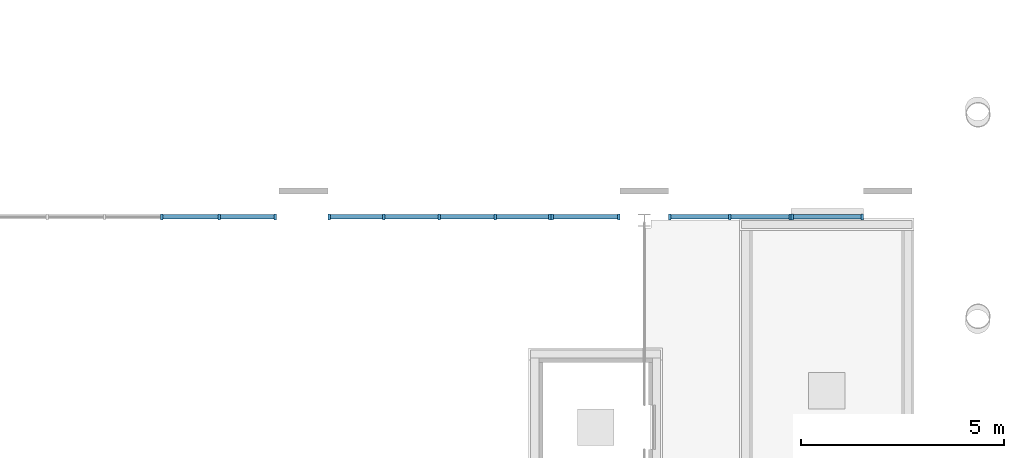
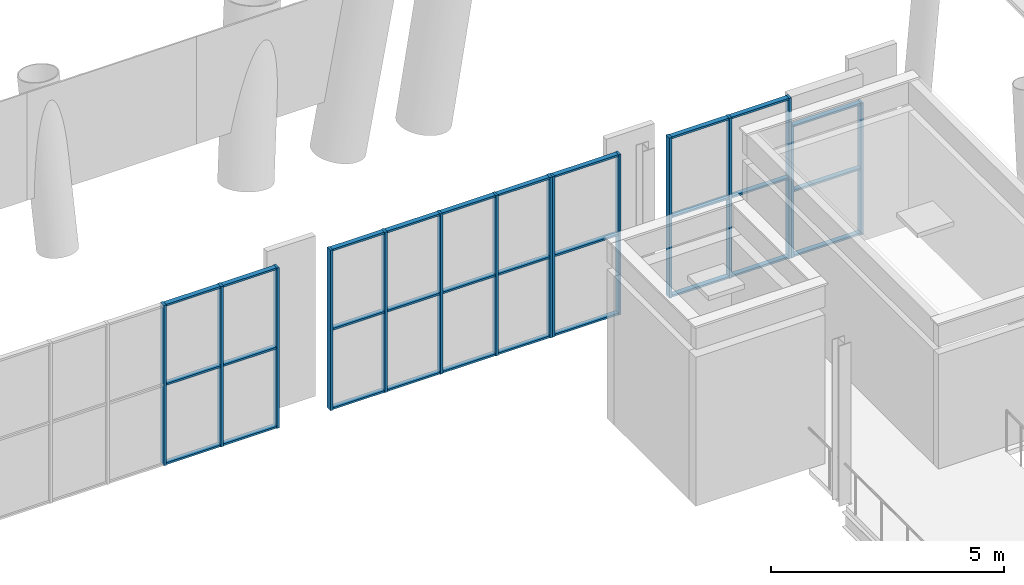
# One storey, part 32 of 76: 45 members, 5 elements without a shape of their own.
"""IFC4 building model written with IfcOpenShell, lengths in metres."""

from ifc_helpers import new_model, si_unit, direction, frame, origin, origin_2d, place, context, subcontext, project, spatial, rectangle, extrude, material, material_profile, profile_set, type_object, element, aggregate, save


model = new_model("IFC4")

# Units and contexts
model_context = context("Model", 3, precision=1e-05, world=origin(), true_north=direction((0.0, 1.0)))
body_context = subcontext(model_context, "Body", "Model", "MODEL_VIEW")
ifc_project = project(units=[si_unit("LENGTHUNIT", "METRE"), si_unit("AREAUNIT", "SQUARE_METRE"), si_unit("VOLUMEUNIT", "CUBIC_METRE"), si_unit("PLANEANGLEUNIT", "RADIAN"), si_unit("MASSUNIT", "GRAM", prefix="KILO")], contexts=[model_context])

# Site, building, storey
site_placement = place(None, origin())
site = spatial("IfcSite", under=ifc_project, at=site_placement, CompositionType="ELEMENT")
building_placement = place(site_placement, origin())
building = spatial("IfcBuilding", under=site, at=building_placement, Name="Sava Quay Ferry Terminal", CompositionType="ELEMENT")
storey_placement = place(building_placement, frame((0.0, 0.0, 10.800048828125)))
storey = spatial("IfcBuildingStorey", under=building, at=storey_placement, Name="L02", CompositionType="ELEMENT", Elevation=10.800048828125)

# Curtain wall, members
ifc_material_1 = material(Name="Aluminium and glass curtain wall, double low-e glazed", Category="aluminium")
curtain_wall_type = type_object("IfcCurtainWallType", Name="Curtain wall CW-G gable", PredefinedType="NOTDEFINED", material=ifc_material_1)
curtain_wall_1_placement = place(storey_placement, origin())
curtain_wall_1 = element("IfcCurtainWall", 1, at=curtain_wall_1_placement, inside=storey, type_object=curtain_wall_type, Name="Curtain wall D-N L02 bay 31", PredefinedType="NOTDEFINED")
ifc_material_2 = material(Name="Aluminium EN AW-6063 T6", Category="aluminium")
ifc_material_profile_1 = material_profile(ifc_material_2, rectangle(XDim=0.14990234375, YDim=0.06005859375, at=origin_2d()), Name="Mullion 60x150 aluminium")
ifc_profile_set_1 = profile_set([ifc_material_profile_1], Name="Aluminium EN AW-6063 T6")
member_type_1 = type_object("IfcMemberType", Name="Mullion 60x150 aluminium", PredefinedType="MULLION", material=ifc_profile_set_1)
member_1_placement = place(storey_placement, frame((63.7060546875, 100.885009765625, 0.0), z_axis=(0.0, 0.0, 1.0), x_axis=(0.0, 1.0, 0.0)))
member_1 = element("IfcMember", 2, at=member_1_placement, type_object=member_type_1, Name="CW71 mullion 4", PredefinedType="MULLION", context=body_context, shape_type="SweptSolid", body=[
    extrude(rectangle(XDim=0.14990234375, YDim=0.06005859375, at=origin_2d()), origin(), (0.0, 0.0, 1.0), 4.199951171875),
])
member_2_placement = place(storey_placement, frame((65.117919921875, 100.885009765625, 0.0), z_axis=(0.0, 0.0, 1.0), x_axis=(0.0, 1.0, 0.0)))
member_2 = element("IfcMember", 3, at=member_2_placement, type_object=member_type_1, Name="CW71 mullion 5", PredefinedType="MULLION", context=body_context, shape_type="SweptSolid", body=[
    extrude(rectangle(XDim=0.14990234375, YDim=0.06005859375, at=origin_2d()), origin(), (0.0, 0.0, 1.0), 4.199951171875),
])
member_3_placement = place(storey_placement, frame((66.5, 100.885009765625, 0.0), z_axis=(0.0, 0.0, 1.0), x_axis=(0.0, 1.0, 0.0)))
member_3 = element("IfcMember", 4, at=member_3_placement, type_object=member_type_1, Name="CW71 mullion 6", PredefinedType="MULLION", context=body_context, shape_type="SweptSolid", body=[
    extrude(rectangle(XDim=0.14990234375, YDim=0.06005859375, at=origin_2d()), origin(), (0.0, 0.0, 1.0), 4.199951171875),
])

curtain_wall_2_placement = place(storey_placement, origin())
curtain_wall_2 = element("IfcCurtainWall", 5, at=curtain_wall_2_placement, inside=storey, type_object=curtain_wall_type, Name="Curtain wall D-N L02 bay 41", PredefinedType="NOTDEFINED")
member_4_placement = place(storey_placement, frame((67.830078125, 100.885009765625, 0.0), z_axis=(0.0, 0.0, 1.0), x_axis=(0.0, 1.0, 0.0)))
member_4 = element("IfcMember", 6, at=member_4_placement, type_object=member_type_1, Name="CW75 mullion 1", PredefinedType="MULLION", context=body_context, shape_type="SweptSolid", body=[
    extrude(rectangle(XDim=0.14990234375, YDim=0.06005859375, at=origin_2d()), origin(), (0.0, 0.0, 1.0), 4.199951171875),
])
member_5_placement = place(storey_placement, frame((69.175048828125, 100.885009765625, 0.0), z_axis=(0.0, 0.0, 1.0), x_axis=(0.0, 1.0, 0.0)))
member_5 = element("IfcMember", 7, at=member_5_placement, type_object=member_type_1, Name="CW75 mullion 2", PredefinedType="MULLION", context=body_context, shape_type="SweptSolid", body=[
    extrude(rectangle(XDim=0.14990234375, YDim=0.06005859375, at=origin_2d()), origin(), (0.0, 0.0, 1.0), 4.199951171875),
])
member_6_placement = place(storey_placement, frame((70.550048828125, 100.885009765625, 0.0), z_axis=(0.0, 0.0, 1.0), x_axis=(0.0, 1.0, 0.0)))
member_6 = element("IfcMember", 8, at=member_6_placement, type_object=member_type_1, Name="CW75 mullion 3", PredefinedType="MULLION", context=body_context, shape_type="SweptSolid", body=[
    extrude(rectangle(XDim=0.14990234375, YDim=0.06005859375, at=origin_2d()), origin(), (0.0, 0.0, 1.0), 4.199951171875),
])
member_7_placement = place(storey_placement, frame((71.925048828125, 100.885009765625, 0.0), z_axis=(0.0, 0.0, 1.0), x_axis=(0.0, 1.0, 0.0)))
member_7 = element("IfcMember", 9, at=member_7_placement, type_object=member_type_1, Name="CW75 mullion 4", PredefinedType="MULLION", context=body_context, shape_type="SweptSolid", body=[
    extrude(rectangle(XDim=0.14990234375, YDim=0.06005859375, at=origin_2d()), origin(), (0.0, 0.0, 1.0), 4.199951171875),
])
member_8_placement = place(storey_placement, frame((73.27001953125, 100.885009765625, 0.0), z_axis=(0.0, 0.0, 1.0), x_axis=(0.0, 1.0, 0.0)))
member_8 = element("IfcMember", 10, at=member_8_placement, type_object=member_type_1, Name="CW75 mullion 5", PredefinedType="MULLION", context=body_context, shape_type="SweptSolid", body=[
    extrude(rectangle(XDim=0.14990234375, YDim=0.06005859375, at=origin_2d()), origin(), (0.0, 0.0, 1.0), 4.199951171875),
])

curtain_wall_3_placement = place(storey_placement, origin())
curtain_wall_3 = element("IfcCurtainWall", 11, at=curtain_wall_3_placement, inside=storey, type_object=curtain_wall_type, Name="Curtain wall D-N L02 bay 51", PredefinedType="NOTDEFINED")
member_9_placement = place(storey_placement, frame((73.330078125, 100.885009765625, 0.0), z_axis=(0.0, 0.0, 1.0), x_axis=(0.0, 1.0, 0.0)))
member_9 = element("IfcMember", 12, at=member_9_placement, type_object=member_type_1, Name="CW79 mullion 1", PredefinedType="MULLION", context=body_context, shape_type="SweptSolid", body=[
    extrude(rectangle(XDim=0.14990234375, YDim=0.06005859375, at=origin_2d()), origin(), (0.0, 0.0, 1.0), 4.199951171875),
])
member_10_placement = place(storey_placement, frame((74.969970703125, 100.885009765625, 0.0), z_axis=(0.0, 0.0, 1.0), x_axis=(0.0, 1.0, 0.0)))
member_10 = element("IfcMember", 13, at=member_10_placement, type_object=member_type_1, Name="CW79 mullion 2", PredefinedType="MULLION", context=body_context, shape_type="SweptSolid", body=[
    extrude(rectangle(XDim=0.14990234375, YDim=0.06005859375, at=origin_2d()), origin(), (0.0, 0.0, 1.0), 4.199951171875),
])

curtain_wall_4_placement = place(storey_placement, origin())
curtain_wall_4 = element("IfcCurtainWall", 14, at=curtain_wall_4_placement, inside=storey, type_object=curtain_wall_type, Name="Curtain wall D-N L02 bay 52", PredefinedType="NOTDEFINED")
member_11_placement = place(storey_placement, frame((76.22998046875, 100.885009765625, 0.0), z_axis=(0.0, 0.0, 1.0), x_axis=(0.0, 1.0, 0.0)))
member_11 = element("IfcMember", 15, at=member_11_placement, type_object=member_type_1, Name="CW83 mullion 1", PredefinedType="MULLION", context=body_context, shape_type="SweptSolid", body=[
    extrude(rectangle(XDim=0.14990234375, YDim=0.06005859375, at=origin_2d()), origin(), (0.0, 0.0, 1.0), 4.199951171875),
])
member_12_placement = place(storey_placement, frame((77.7099609375, 100.885009765625, 0.0), z_axis=(0.0, 0.0, 1.0), x_axis=(0.0, 1.0, 0.0)))
member_12 = element("IfcMember", 16, at=member_12_placement, type_object=member_type_1, Name="CW83 mullion 2", PredefinedType="MULLION", context=body_context, shape_type="SweptSolid", body=[
    extrude(rectangle(XDim=0.14990234375, YDim=0.06005859375, at=origin_2d()), origin(), (0.0, 0.0, 1.0), 4.199951171875),
])
member_13_placement = place(storey_placement, frame((79.18994140625, 100.885009765625, 0.0), z_axis=(0.0, 0.0, 1.0), x_axis=(0.0, 1.0, 0.0)))
member_13 = element("IfcMember", 17, at=member_13_placement, type_object=member_type_1, Name="CW83 mullion 3", PredefinedType="MULLION", context=body_context, shape_type="SweptSolid", body=[
    extrude(rectangle(XDim=0.14990234375, YDim=0.06005859375, at=origin_2d()), origin(), (0.0, 0.0, 1.0), 4.199951171875),
])

curtain_wall_5_placement = place(storey_placement, origin())
curtain_wall_5 = element("IfcCurtainWall", 18, at=curtain_wall_5_placement, inside=storey, type_object=curtain_wall_type, Name="Curtain wall D-N L02 bay 61", PredefinedType="NOTDEFINED")
member_14_placement = place(storey_placement, frame((79.25, 100.885009765625, 0.0), z_axis=(0.0, 0.0, 1.0), x_axis=(0.0, 1.0, 0.0)))
member_14 = element("IfcMember", 19, at=member_14_placement, type_object=member_type_1, Name="CW87 mullion 1", PredefinedType="MULLION", context=body_context, shape_type="SweptSolid", body=[
    extrude(rectangle(XDim=0.14990234375, YDim=0.06005859375, at=origin_2d()), origin(), (0.0, 0.0, 1.0), 3.449951171875),
])
member_15_placement = place(storey_placement, frame((80.969970703125, 100.885009765625, 0.0), z_axis=(0.0, 0.0, 1.0), x_axis=(0.0, 1.0, 0.0)))
member_15 = element("IfcMember", 20, at=member_15_placement, type_object=member_type_1, Name="CW87 mullion 2", PredefinedType="MULLION", context=body_context, shape_type="SweptSolid", body=[
    extrude(rectangle(XDim=0.14990234375, YDim=0.06005859375, at=origin_2d()), origin(), (0.0, 0.0, 1.0), 3.449951171875),
])

# Member
ifc_material_3 = material(Name="Aluminium EN AW-6063 T6", Category="aluminium")
ifc_material_profile_2 = material_profile(ifc_material_3, rectangle(XDim=0.1201171875, YDim=0.050048828125, at=origin_2d()), Name="Transom 50x120 aluminium")
ifc_profile_set_2 = profile_set([ifc_material_profile_2], Name="Aluminium EN AW-6063 T6")
member_type_2 = type_object("IfcMemberType", Name="Transom 50x120 aluminium", PredefinedType="USERDEFINED", material=ifc_profile_set_2)
member_16_placement = place(storey_placement, frame((63.736083984375, 100.885009765625, 0.02490234375), z_axis=(1.0, 0.0, 0.0), x_axis=(0.0, 1.0, 0.0)))
member_16 = element("IfcMember", 21, at=member_16_placement, type_object=member_type_2, Name="CW71 transom 4.1", ObjectType="TRANSOM", PredefinedType="USERDEFINED", context=body_context, shape_type="SweptSolid", body=[
    extrude(rectangle(XDim=0.1201171875, YDim=0.050048828125, at=origin_2d()), origin(), (0.0, 0.0, 1.0), 1.351806640625),
])

member_17_placement = place(storey_placement, frame((63.736083984375, 100.885009765625, 2.099853515625), z_axis=(1.0, 0.0, 0.0), x_axis=(0.0, 1.0, 0.0)))
member_17 = element("IfcMember", 22, at=member_17_placement, type_object=member_type_2, Name="CW71 transom 4.2", ObjectType="TRANSOM", PredefinedType="USERDEFINED", context=body_context, shape_type="SweptSolid", body=[
    extrude(rectangle(XDim=0.1201171875, YDim=0.050048828125, at=origin_2d()), origin(), (0.0, 0.0, 1.0), 1.351806640625),
])

member_18_placement = place(storey_placement, frame((63.736083984375, 100.885009765625, 4.175048828125), z_axis=(1.0, 0.0, 0.0), x_axis=(0.0, 1.0, 0.0)))
member_18 = element("IfcMember", 23, at=member_18_placement, type_object=member_type_2, Name="CW71 transom 4.3", ObjectType="TRANSOM", PredefinedType="USERDEFINED", context=body_context, shape_type="SweptSolid", body=[
    extrude(rectangle(XDim=0.1201171875, YDim=0.050048828125, at=origin_2d()), origin(), (0.0, 0.0, 1.0), 1.351806640625),
])

member_19_placement = place(storey_placement, frame((65.14794921875, 100.885009765625, 0.02490234375), z_axis=(1.0, 0.0, 0.0), x_axis=(0.0, 1.0, 0.0)))
member_19 = element("IfcMember", 24, at=member_19_placement, type_object=member_type_2, Name="CW71 transom 5.1", ObjectType="TRANSOM", PredefinedType="USERDEFINED", context=body_context, shape_type="SweptSolid", body=[
    extrude(rectangle(XDim=0.1201171875, YDim=0.050048828125, at=origin_2d()), origin(), (0.0, 0.0, 1.0), 1.322021484375),
])

member_20_placement = place(storey_placement, frame((65.14794921875, 100.885009765625, 2.099853515625), z_axis=(1.0, 0.0, 0.0), x_axis=(0.0, 1.0, 0.0)))
member_20 = element("IfcMember", 25, at=member_20_placement, type_object=member_type_2, Name="CW71 transom 5.2", ObjectType="TRANSOM", PredefinedType="USERDEFINED", context=body_context, shape_type="SweptSolid", body=[
    extrude(rectangle(XDim=0.1201171875, YDim=0.050048828125, at=origin_2d()), origin(), (0.0, 0.0, 1.0), 1.322021484375),
])

member_21_placement = place(storey_placement, frame((65.14794921875, 100.885009765625, 4.175048828125), z_axis=(1.0, 0.0, 0.0), x_axis=(0.0, 1.0, 0.0)))
member_21 = element("IfcMember", 26, at=member_21_placement, type_object=member_type_2, Name="CW71 transom 5.3", ObjectType="TRANSOM", PredefinedType="USERDEFINED", context=body_context, shape_type="SweptSolid", body=[
    extrude(rectangle(XDim=0.1201171875, YDim=0.050048828125, at=origin_2d()), origin(), (0.0, 0.0, 1.0), 1.322021484375),
])

aggregate(curtain_wall_1, [member_1, member_2, member_3, member_16, member_17, member_18, member_19, member_20, member_21])

member_22_placement = place(storey_placement, frame((67.860107421875, 100.885009765625, 0.02490234375), z_axis=(1.0, 0.0, 0.0), x_axis=(0.0, 1.0, 0.0)))
member_22 = element("IfcMember", 27, at=member_22_placement, type_object=member_type_2, Name="CW75 transom 1.1", ObjectType="TRANSOM", PredefinedType="USERDEFINED", context=body_context, shape_type="SweptSolid", body=[
    extrude(rectangle(XDim=0.1201171875, YDim=0.050048828125, at=origin_2d()), origin(), (0.0, 0.0, 1.0), 1.284912109375),
])

member_23_placement = place(storey_placement, frame((67.860107421875, 100.885009765625, 2.099853515625), z_axis=(1.0, 0.0, 0.0), x_axis=(0.0, 1.0, 0.0)))
member_23 = element("IfcMember", 28, at=member_23_placement, type_object=member_type_2, Name="CW75 transom 1.2", ObjectType="TRANSOM", PredefinedType="USERDEFINED", context=body_context, shape_type="SweptSolid", body=[
    extrude(rectangle(XDim=0.1201171875, YDim=0.050048828125, at=origin_2d()), origin(), (0.0, 0.0, 1.0), 1.284912109375),
])

member_24_placement = place(storey_placement, frame((67.860107421875, 100.885009765625, 4.175048828125), z_axis=(1.0, 0.0, 0.0), x_axis=(0.0, 1.0, 0.0)))
member_24 = element("IfcMember", 29, at=member_24_placement, type_object=member_type_2, Name="CW75 transom 1.3", ObjectType="TRANSOM", PredefinedType="USERDEFINED", context=body_context, shape_type="SweptSolid", body=[
    extrude(rectangle(XDim=0.1201171875, YDim=0.050048828125, at=origin_2d()), origin(), (0.0, 0.0, 1.0), 1.284912109375),
])

member_25_placement = place(storey_placement, frame((69.205078125, 100.885009765625, 0.02490234375), z_axis=(1.0, 0.0, 0.0), x_axis=(0.0, 1.0, 0.0)))
member_25 = element("IfcMember", 30, at=member_25_placement, type_object=member_type_2, Name="CW75 transom 2.1", ObjectType="TRANSOM", PredefinedType="USERDEFINED", context=body_context, shape_type="SweptSolid", body=[
    extrude(rectangle(XDim=0.1201171875, YDim=0.050048828125, at=origin_2d()), origin(), (0.0, 0.0, 1.0), 1.31494140625),
])

member_26_placement = place(storey_placement, frame((69.205078125, 100.885009765625, 2.099853515625), z_axis=(1.0, 0.0, 0.0), x_axis=(0.0, 1.0, 0.0)))
member_26 = element("IfcMember", 31, at=member_26_placement, type_object=member_type_2, Name="CW75 transom 2.2", ObjectType="TRANSOM", PredefinedType="USERDEFINED", context=body_context, shape_type="SweptSolid", body=[
    extrude(rectangle(XDim=0.1201171875, YDim=0.050048828125, at=origin_2d()), origin(), (0.0, 0.0, 1.0), 1.31494140625),
])

member_27_placement = place(storey_placement, frame((69.205078125, 100.885009765625, 4.175048828125), z_axis=(1.0, 0.0, 0.0), x_axis=(0.0, 1.0, 0.0)))
member_27 = element("IfcMember", 32, at=member_27_placement, type_object=member_type_2, Name="CW75 transom 2.3", ObjectType="TRANSOM", PredefinedType="USERDEFINED", context=body_context, shape_type="SweptSolid", body=[
    extrude(rectangle(XDim=0.1201171875, YDim=0.050048828125, at=origin_2d()), origin(), (0.0, 0.0, 1.0), 1.31494140625),
])

member_28_placement = place(storey_placement, frame((70.580078125, 100.885009765625, 0.02490234375), z_axis=(1.0, 0.0, 0.0), x_axis=(0.0, 1.0, 0.0)))
member_28 = element("IfcMember", 33, at=member_28_placement, type_object=member_type_2, Name="CW75 transom 3.1", ObjectType="TRANSOM", PredefinedType="USERDEFINED", context=body_context, shape_type="SweptSolid", body=[
    extrude(rectangle(XDim=0.1201171875, YDim=0.050048828125, at=origin_2d()), origin(), (0.0, 0.0, 1.0), 1.31494140625),
])

member_29_placement = place(storey_placement, frame((70.580078125, 100.885009765625, 2.099853515625), z_axis=(1.0, 0.0, 0.0), x_axis=(0.0, 1.0, 0.0)))
member_29 = element("IfcMember", 34, at=member_29_placement, type_object=member_type_2, Name="CW75 transom 3.2", ObjectType="TRANSOM", PredefinedType="USERDEFINED", context=body_context, shape_type="SweptSolid", body=[
    extrude(rectangle(XDim=0.1201171875, YDim=0.050048828125, at=origin_2d()), origin(), (0.0, 0.0, 1.0), 1.31494140625),
])

member_30_placement = place(storey_placement, frame((70.580078125, 100.885009765625, 4.175048828125), z_axis=(1.0, 0.0, 0.0), x_axis=(0.0, 1.0, 0.0)))
member_30 = element("IfcMember", 35, at=member_30_placement, type_object=member_type_2, Name="CW75 transom 3.3", ObjectType="TRANSOM", PredefinedType="USERDEFINED", context=body_context, shape_type="SweptSolid", body=[
    extrude(rectangle(XDim=0.1201171875, YDim=0.050048828125, at=origin_2d()), origin(), (0.0, 0.0, 1.0), 1.31494140625),
])

member_31_placement = place(storey_placement, frame((71.955078125, 100.885009765625, 0.02490234375), z_axis=(1.0, 0.0, 0.0), x_axis=(0.0, 1.0, 0.0)))
member_31 = element("IfcMember", 36, at=member_31_placement, type_object=member_type_2, Name="CW75 transom 4.1", ObjectType="TRANSOM", PredefinedType="USERDEFINED", context=body_context, shape_type="SweptSolid", body=[
    extrude(rectangle(XDim=0.1201171875, YDim=0.050048828125, at=origin_2d()), origin(), (0.0, 0.0, 1.0), 1.284912109375),
])

member_32_placement = place(storey_placement, frame((71.955078125, 100.885009765625, 2.099853515625), z_axis=(1.0, 0.0, 0.0), x_axis=(0.0, 1.0, 0.0)))
member_32 = element("IfcMember", 37, at=member_32_placement, type_object=member_type_2, Name="CW75 transom 4.2", ObjectType="TRANSOM", PredefinedType="USERDEFINED", context=body_context, shape_type="SweptSolid", body=[
    extrude(rectangle(XDim=0.1201171875, YDim=0.050048828125, at=origin_2d()), origin(), (0.0, 0.0, 1.0), 1.284912109375),
])

member_33_placement = place(storey_placement, frame((71.955078125, 100.885009765625, 4.175048828125), z_axis=(1.0, 0.0, 0.0), x_axis=(0.0, 1.0, 0.0)))
member_33 = element("IfcMember", 38, at=member_33_placement, type_object=member_type_2, Name="CW75 transom 4.3", ObjectType="TRANSOM", PredefinedType="USERDEFINED", context=body_context, shape_type="SweptSolid", body=[
    extrude(rectangle(XDim=0.1201171875, YDim=0.050048828125, at=origin_2d()), origin(), (0.0, 0.0, 1.0), 1.284912109375),
])

aggregate(curtain_wall_2, [member_4, member_5, member_6, member_7, member_8, member_22, member_23, member_24, member_25, member_26, member_27, member_28, member_29, member_30, member_31, member_32, member_33])

member_34_placement = place(storey_placement, frame((73.360107421875, 100.885009765625, 0.02490234375), z_axis=(1.0, 0.0, 0.0), x_axis=(0.0, 1.0, 0.0)))
member_34 = element("IfcMember", 39, at=member_34_placement, type_object=member_type_2, Name="CW79 transom 1.1", ObjectType="TRANSOM", PredefinedType="USERDEFINED", context=body_context, shape_type="SweptSolid", body=[
    extrude(rectangle(XDim=0.1201171875, YDim=0.050048828125, at=origin_2d()), origin(), (0.0, 0.0, 1.0), 1.579833984375),
])

member_35_placement = place(storey_placement, frame((73.360107421875, 100.885009765625, 2.099853515625), z_axis=(1.0, 0.0, 0.0), x_axis=(0.0, 1.0, 0.0)))
member_35 = element("IfcMember", 40, at=member_35_placement, type_object=member_type_2, Name="CW79 transom 1.2", ObjectType="TRANSOM", PredefinedType="USERDEFINED", context=body_context, shape_type="SweptSolid", body=[
    extrude(rectangle(XDim=0.1201171875, YDim=0.050048828125, at=origin_2d()), origin(), (0.0, 0.0, 1.0), 1.579833984375),
])

member_36_placement = place(storey_placement, frame((73.360107421875, 100.885009765625, 4.175048828125), z_axis=(1.0, 0.0, 0.0), x_axis=(0.0, 1.0, 0.0)))
member_36 = element("IfcMember", 41, at=member_36_placement, type_object=member_type_2, Name="CW79 transom 1.3", ObjectType="TRANSOM", PredefinedType="USERDEFINED", context=body_context, shape_type="SweptSolid", body=[
    extrude(rectangle(XDim=0.1201171875, YDim=0.050048828125, at=origin_2d()), origin(), (0.0, 0.0, 1.0), 1.579833984375),
])

aggregate(curtain_wall_3, [member_9, member_10, member_34, member_35, member_36])

member_37_placement = place(storey_placement, frame((76.260009765625, 100.885009765625, 0.02490234375), z_axis=(1.0, 0.0, 0.0), x_axis=(0.0, 1.0, 0.0)))
member_37 = element("IfcMember", 42, at=member_37_placement, type_object=member_type_2, Name="CW83 transom 1.1", ObjectType="TRANSOM", PredefinedType="USERDEFINED", context=body_context, shape_type="SweptSolid", body=[
    extrude(rectangle(XDim=0.1201171875, YDim=0.050048828125, at=origin_2d()), origin(), (0.0, 0.0, 1.0), 1.419921875),
])

member_38_placement = place(storey_placement, frame((76.260009765625, 100.885009765625, 2.099853515625), z_axis=(1.0, 0.0, 0.0), x_axis=(0.0, 1.0, 0.0)))
member_38 = element("IfcMember", 43, at=member_38_placement, type_object=member_type_2, Name="CW83 transom 1.2", ObjectType="TRANSOM", PredefinedType="USERDEFINED", context=body_context, shape_type="SweptSolid", body=[
    extrude(rectangle(XDim=0.1201171875, YDim=0.050048828125, at=origin_2d()), origin(), (0.0, 0.0, 1.0), 1.419921875),
])

member_39_placement = place(storey_placement, frame((76.260009765625, 100.885009765625, 4.175048828125), z_axis=(1.0, 0.0, 0.0), x_axis=(0.0, 1.0, 0.0)))
member_39 = element("IfcMember", 44, at=member_39_placement, type_object=member_type_2, Name="CW83 transom 1.3", ObjectType="TRANSOM", PredefinedType="USERDEFINED", context=body_context, shape_type="SweptSolid", body=[
    extrude(rectangle(XDim=0.1201171875, YDim=0.050048828125, at=origin_2d()), origin(), (0.0, 0.0, 1.0), 1.419921875),
])

member_40_placement = place(storey_placement, frame((77.739990234375, 100.885009765625, 0.02490234375), z_axis=(1.0, 0.0, 0.0), x_axis=(0.0, 1.0, 0.0)))
member_40 = element("IfcMember", 45, at=member_40_placement, type_object=member_type_2, Name="CW83 transom 2.1", ObjectType="TRANSOM", PredefinedType="USERDEFINED", context=body_context, shape_type="SweptSolid", body=[
    extrude(rectangle(XDim=0.1201171875, YDim=0.050048828125, at=origin_2d()), origin(), (0.0, 0.0, 1.0), 1.419921875),
])

member_41_placement = place(storey_placement, frame((77.739990234375, 100.885009765625, 2.099853515625), z_axis=(1.0, 0.0, 0.0), x_axis=(0.0, 1.0, 0.0)))
member_41 = element("IfcMember", 46, at=member_41_placement, type_object=member_type_2, Name="CW83 transom 2.2", ObjectType="TRANSOM", PredefinedType="USERDEFINED", context=body_context, shape_type="SweptSolid", body=[
    extrude(rectangle(XDim=0.1201171875, YDim=0.050048828125, at=origin_2d()), origin(), (0.0, 0.0, 1.0), 1.419921875),
])

member_42_placement = place(storey_placement, frame((77.739990234375, 100.885009765625, 4.175048828125), z_axis=(1.0, 0.0, 0.0), x_axis=(0.0, 1.0, 0.0)))
member_42 = element("IfcMember", 47, at=member_42_placement, type_object=member_type_2, Name="CW83 transom 2.3", ObjectType="TRANSOM", PredefinedType="USERDEFINED", context=body_context, shape_type="SweptSolid", body=[
    extrude(rectangle(XDim=0.1201171875, YDim=0.050048828125, at=origin_2d()), origin(), (0.0, 0.0, 1.0), 1.419921875),
])

aggregate(curtain_wall_4, [member_11, member_12, member_13, member_37, member_38, member_39, member_40, member_41, member_42])

member_43_placement = place(storey_placement, frame((79.280029296875, 100.885009765625, 0.02490234375), z_axis=(1.0, 0.0, 0.0), x_axis=(0.0, 1.0, 0.0)))
member_43 = element("IfcMember", 48, at=member_43_placement, type_object=member_type_2, Name="CW87 transom 1.1", ObjectType="TRANSOM", PredefinedType="USERDEFINED", context=body_context, shape_type="SweptSolid", body=[
    extrude(rectangle(XDim=0.1201171875, YDim=0.050048828125, at=origin_2d()), origin(), (0.0, 0.0, 1.0), 1.659912109375),
])

member_44_placement = place(storey_placement, frame((79.280029296875, 100.885009765625, 1.724853515625), z_axis=(1.0, 0.0, 0.0), x_axis=(0.0, 1.0, 0.0)))
member_44 = element("IfcMember", 49, at=member_44_placement, type_object=member_type_2, Name="CW87 transom 1.2", ObjectType="TRANSOM", PredefinedType="USERDEFINED", context=body_context, shape_type="SweptSolid", body=[
    extrude(rectangle(XDim=0.1201171875, YDim=0.050048828125, at=origin_2d()), origin(), (0.0, 0.0, 1.0), 1.659912109375),
])

member_45_placement = place(storey_placement, frame((79.280029296875, 100.885009765625, 3.425048828125), z_axis=(1.0, 0.0, 0.0), x_axis=(0.0, 1.0, 0.0)))
member_45 = element("IfcMember", 50, at=member_45_placement, type_object=member_type_2, Name="CW87 transom 1.3", ObjectType="TRANSOM", PredefinedType="USERDEFINED", context=body_context, shape_type="SweptSolid", body=[
    extrude(rectangle(XDim=0.1201171875, YDim=0.050048828125, at=origin_2d()), origin(), (0.0, 0.0, 1.0), 1.659912109375),
])

aggregate(curtain_wall_5, [member_14, member_15, member_43, member_44, member_45])

save(model, "model.ifc")
